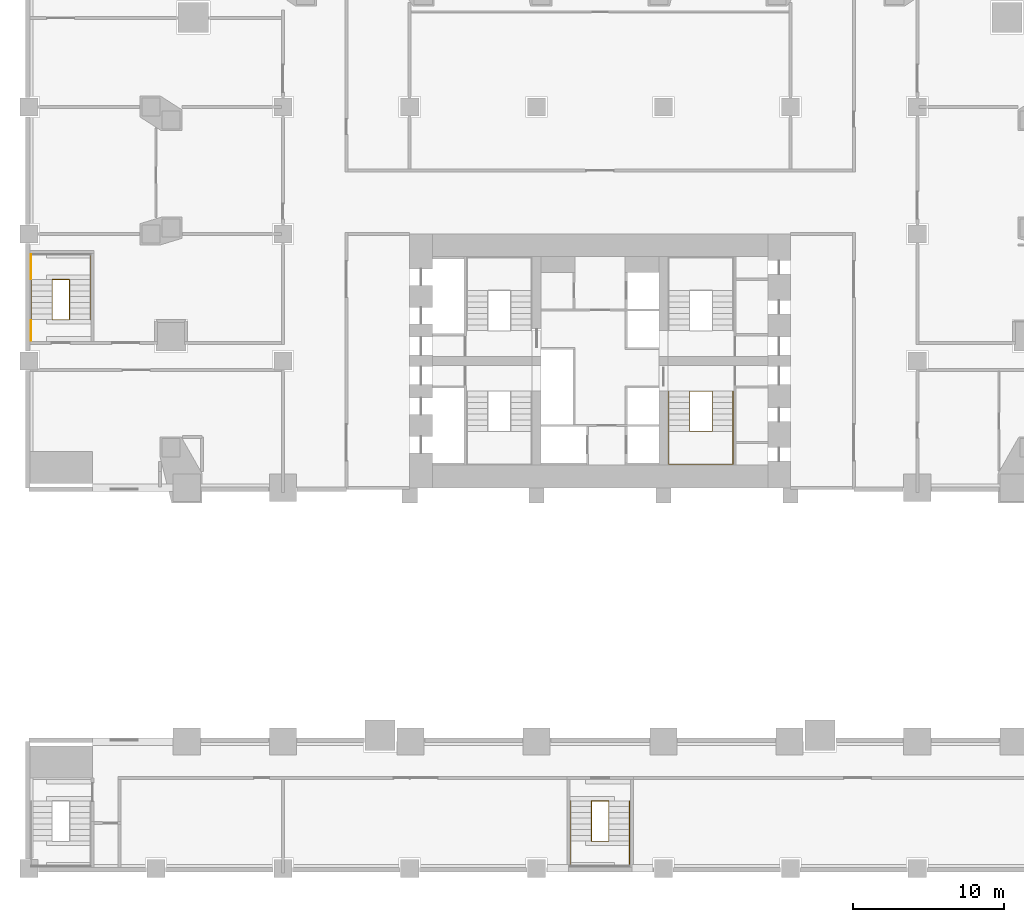
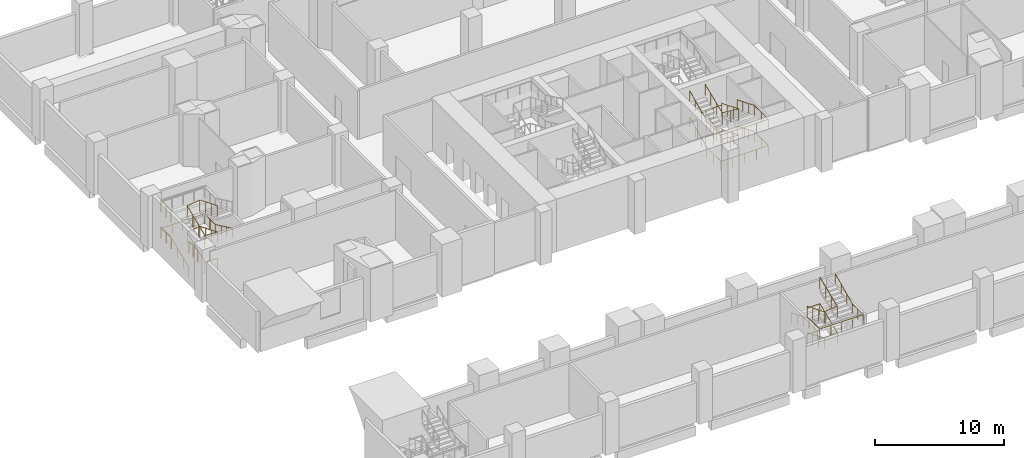
# One storey, part 12 of 16: 13 railings.
"""IFC4 building model written with IfcOpenShell, lengths in metres."""

import ifcopenshell
import ifcopenshell.guid

model = None  # the IFC model being written
_history = None  # IfcOwnerHistory: only IFC2X3 demands one
_inside = {}  # id of a spatial element -> (the spatial element, [elements in it])
_under = {}  # id of a project, library or spatial element -> (it, [spatial elements below it])
_declared = {}  # id of a project -> (the project, [libraries it declares])
_typed = {}  # id of a type object -> (the type object, [elements of that type])
_made_of = {}  # id of a material, layer set ... -> (it, [elements and type objects made of it])


def new_model(schema):
    """Start an empty IFC model of exactly this schema.

    Asked for "IFC4X3", IfcOpenShell would pick the latest addendum, in which some entities
    have other attributes; the version numbers below select the first issue.
    IFC2X3 requires an IfcOwnerHistory on every rooted entity: one is made here for all.
    """
    global model, _history
    if schema == "IFC4X3":
        model = ifcopenshell.file(schema_version=(4, 3, 0, 0))
    else:
        model = ifcopenshell.file(schema=schema)
    _inside.clear()
    _under.clear()
    _declared.clear()
    _typed.clear()
    _made_of.clear()
    _history = None
    if model.schema == "IFC2X3":
        org = make("IfcOrganization", Name="unknown")
        user = make(
            "IfcPersonAndOrganization",
            ThePerson=make("IfcPerson", FamilyName="unknown"),
            TheOrganization=org,
        )
        app = make(
            "IfcApplication",
            ApplicationDeveloper=org,
            Version="unknown",
            ApplicationFullName="unknown",
            ApplicationIdentifier="unknown",
        )
        _history = make(
            "IfcOwnerHistory",
            OwningUser=user,
            OwningApplication=app,
            ChangeAction="ADDED",
            CreationDate=0,
        )
    return model


def make(cls, **values):
    """One entity of the class cls with the attributes given. An attribute that is None is left unset."""
    return model.create_entity(
        cls, **{name: value for name, value in values.items() if value is not None}
    )


def rooted(cls, **values):
    """An entity with a GlobalId (a new one), such as an element, a storey or a relation."""
    return make(cls, GlobalId=ifcopenshell.guid.new(), OwnerHistory=_history, **values)


def si_unit(unit_type, name, prefix=None):
    """IfcSIUnit, for example si_unit("LENGTHUNIT", "METRE", prefix="MILLI")."""
    return make("IfcSIUnit", UnitType=unit_type, Prefix=prefix, Name=name)


def assignment(units):
    """IfcUnitAssignment: the units of a project."""
    return None if units is None else make("IfcUnitAssignment", Units=units)


def point(xyz):
    """IfcCartesianPoint."""
    return None if xyz is None else make("IfcCartesianPoint", Coordinates=xyz)


def direction(xyz):
    """IfcDirection."""
    return None if xyz is None else make("IfcDirection", DirectionRatios=xyz)


def frame(location, z_axis=None, x_axis=None):
    """IfcAxis2Placement3D, a coordinate frame: its origin and axes. An axis left out is left unset."""
    return make(
        "IfcAxis2Placement3D",
        Location=point(location),
        Axis=direction(z_axis),
        RefDirection=direction(x_axis),
    )


def frame_2d(location, x_axis=None):
    """IfcAxis2Placement2D, a coordinate frame in the plane: its origin and x axis."""
    return make(
        "IfcAxis2Placement2D", Location=point(location), RefDirection=direction(x_axis)
    )


def origin():
    """The frame at (0, 0, 0) with its axes left unset."""
    return frame((0.0, 0.0, 0.0))


def origin_2d():
    """The frame at (0, 0) in the plane with its x axis left unset."""
    return frame_2d((0.0, 0.0))


def place(relative_to, where):
    """IfcLocalPlacement: puts the frame where relative to a parent placement (None: the world)."""
    return make(
        "IfcLocalPlacement", PlacementRelTo=relative_to, RelativePlacement=where
    )


def context(
    kind, dimensions, precision=None, world=None, true_north=None, identifier=None
):
    """IfcGeometricRepresentationContext, for example the 3D "Model" context."""
    return make(
        "IfcGeometricRepresentationContext",
        ContextIdentifier=identifier,
        ContextType=kind,
        CoordinateSpaceDimension=dimensions,
        Precision=precision,
        WorldCoordinateSystem=world,
        TrueNorth=true_north,
    )


def subcontext(parent, identifier, kind, view, scale=None):
    """IfcGeometricRepresentationSubContext, for example "Body" below "Model"."""
    return make(
        "IfcGeometricRepresentationSubContext",
        ContextIdentifier=identifier,
        ContextType=kind,
        ParentContext=parent,
        TargetScale=scale,
        TargetView=view,
    )


def project(units=None, contexts=None):
    """IfcProject with its units and contexts."""
    return rooted(
        "IfcProject",
        Name="project",
        RepresentationContexts=contexts,
        UnitsInContext=assignment(units),
    )


def spatial(cls, under=None, at=None, **own):
    """A site, building, storey or space (cls), placed at a placement, below another one or the project."""
    s = rooted(cls, ObjectPlacement=at, **own)
    if under is not None:
        _under.setdefault(under.id(), (under, []))[1].append(s)
    return s


def profile(cls, at=None, kind="AREA", **sizes):
    """A parametric profile (cls). Its sizes go by their IFC names, for example OverallWidth=200.0."""
    return make(cls, ProfileType=kind, Position=at, **sizes)


def circle(**sizes):
    """IfcCircleProfileDef."""
    return profile("IfcCircleProfileDef", **sizes)


def extrude(swept, where, along, depth):
    """IfcExtrudedAreaSolid: the profile swept, set in the frame where, extruded along a direction by depth."""
    return make(
        "IfcExtrudedAreaSolid",
        SweptArea=swept,
        Position=where,
        ExtrudedDirection=direction(along),
        Depth=depth,
    )


def shape(context_of_items, identifier, shape_type, items):
    """IfcShapeRepresentation: the items that make up one representation, for example the "Body"."""
    return make(
        "IfcShapeRepresentation",
        ContextOfItems=context_of_items,
        RepresentationIdentifier=identifier,
        RepresentationType=shape_type,
        Items=items,
    )


def material(Name=None, Category=None):
    """IfcMaterial."""
    return make("IfcMaterial", Name=Name, Category=Category)


def made_of(thing, what):
    """Note that an element or type object is made of a material, layer set ...; save() writes the relation."""
    if what is not None:
        _made_of.setdefault(what.id(), (what, []))[1].append(thing)
    return thing


def type_object(cls, material=None, **own):
    """A type object (cls), such as IfcWallType, which elements share."""
    return made_of(rooted(cls, **own), material)


def element(
    cls,
    number,
    at=None,
    inside=None,
    cuts=None,
    type_object=None,
    material=None,
    context=None,
    identifier="Body",
    shape_type=None,
    held_by="IfcProductDefinitionShape",
    body=None,
    shapes=None,
    **own,
):
    """One element of the class cls, such as IfcWall. Its Tag is "e" and its number.

    at: its placement. inside: the storey or other place that contains it. cuts: it is an
    opening in that element (IfcRelVoidsElement). A single representation is given by context,
    identifier, shape_type and body (its items); several are given by shapes. held_by: the class
    of the entity that holds the representations. save() writes the other relations.
    """
    e = rooted(cls, Tag="e%d" % number, ObjectPlacement=at, **own)
    if body is not None:
        shapes = [shape(context, identifier, shape_type, body)]
    if shapes is not None:
        e.Representation = make(held_by, Representations=shapes)
    if inside is not None:
        _inside.setdefault(inside.id(), (inside, []))[1].append(e)
    if cuts is not None:
        rooted(
            "IfcRelVoidsElement", RelatingBuildingElement=cuts, RelatedOpeningElement=e
        )
    if type_object is not None:
        _typed.setdefault(type_object.id(), (type_object, []))[1].append(e)
    return made_of(e, material)


def aggregate(whole, parts):
    """IfcRelAggregates: a whole, such as a stair, and the parts it consists of."""
    return rooted("IfcRelAggregates", RelatingObject=whole, RelatedObjects=parts)


def save(model, path):
    """Write the relations noted so far, then the file.

    IfcRelAggregates (storeys below a building ...), IfcRelContainedInSpatialStructure (elements
    in a storey), IfcRelDefinesByType, IfcRelAssociatesMaterial and IfcRelDeclares: one each for
    every whole, place, type object, material and project.
    """
    for whole, parts in _under.values():
        aggregate(whole, parts)
    for where, things in _inside.values():
        rooted(
            "IfcRelContainedInSpatialStructure",
            RelatedElements=things,
            RelatingStructure=where,
        )
    for kind, things in _typed.values():
        rooted("IfcRelDefinesByType", RelatedObjects=things, RelatingType=kind)
    for what, things in _made_of.values():
        rooted("IfcRelAssociatesMaterial", RelatedObjects=things, RelatingMaterial=what)
    for by, libraries in _declared.values():
        rooted("IfcRelDeclares", RelatingContext=by, RelatedDefinitions=libraries)
    model.write(path)


model = new_model("IFC4")

# Units and contexts
model_context = context("Model", 3, precision=1e-05, world=origin(), true_north=direction((0.0, 1.0)))
body_context = subcontext(model_context, "Body", "Model", "MODEL_VIEW")
ifc_project = project(units=[si_unit("LENGTHUNIT", "METRE"), si_unit("AREAUNIT", "SQUARE_METRE"), si_unit("VOLUMEUNIT", "CUBIC_METRE"), si_unit("PLANEANGLEUNIT", "RADIAN"), si_unit("MASSUNIT", "GRAM", prefix="KILO")], contexts=[model_context])

# Site, building, storey
site_placement = place(None, origin())
site = spatial("IfcSite", under=ifc_project, at=site_placement, CompositionType="ELEMENT")
building_placement = place(site_placement, origin())
building = spatial("IfcBuilding", under=site, at=building_placement, Name="Marenta Gate Hotel Tower", CompositionType="ELEMENT")
storey_placement = place(building_placement, frame((0.0, 0.0, 21.0)))
storey = spatial("IfcBuildingStorey", under=building, at=storey_placement, Name="L03", CompositionType="ELEMENT", Elevation=21.0)

# Railings
ifc_material_1 = material(Name="Stainless steel", Category="steel")
railing_type_1 = type_object("IfcRailingType", Name="Core stair handrail 950", PredefinedType="HANDRAIL", material=ifc_material_1)
railing_1_placement = place(storey_placement, frame((8.800048828125, 6.39990234375, 0.15625)))
element("IfcRailing", 1, at=railing_1_placement, inside=storey, type_object=railing_type_1, Name="HR-950 L03-KR-ST3-1", PredefinedType="HANDRAIL", context=body_context, shape_type="SweptSolid", body=[
    extrude(circle(Radius=0.02392578125, at=origin_2d()), frame((0.0, 0.0, 0.92578125), z_axis=(0.0, -0.924862585091, 0.38030145766), x_axis=(1.0, 0.0, 0.0)), (0.0, 0.0, 1.0), 2.8759765625),
    extrude(circle(Radius=0.02392578125, at=origin_2d()), frame((0.0, -2.659912109375, 2.01953125), z_axis=(0.0, -1.0, 0.0), x_axis=(1.0, 0.0, 0.0)), (0.0, 0.0, 1.0), 2.18994140625),
    extrude(circle(Radius=0.02392578125, at=origin_2d()), frame((0.0, -4.849853515625, 2.01953125), z_axis=(-1.0, 0.0, 0.0), x_axis=(0.0, -1.0, 0.0)), (0.0, 0.0, 1.0), 4.25),
    extrude(circle(Radius=0.02392578125, at=origin_2d()), frame((-4.25, -4.849853515625, 2.01953125), z_axis=(0.0, 1.0, 0.0), x_axis=(-1.0, 0.0, 0.0)), (0.0, 0.0, 1.0), 2.18994140625),
    extrude(circle(Radius=0.02392578125, at=origin_2d()), frame((-4.25, -2.659912109375, 2.01953125), z_axis=(0.0, 0.905044486808, 0.425316913488), x_axis=(-1.0, 0.0, 0.0)), (0.0, 0.0, 1.0), 2.93896484375),
    extrude(circle(Radius=0.02099609375, at=origin_2d()), origin(), (0.0, 0.0, 1.0), 0.90185546875),
    extrude(circle(Radius=0.02099609375, at=origin_2d()), frame((0.0, -0.88671875, 0.364501953125)), (0.0, 0.0, 1.0), 0.90185546875),
    extrude(circle(Radius=0.02099609375, at=origin_2d()), frame((0.0, -1.773193359375, 0.729248046875)), (0.0, 0.0, 1.0), 0.90185546875),
    extrude(circle(Radius=0.02099609375, at=origin_2d()), frame((0.0, -2.659912109375, 1.09375)), (0.0, 0.0, 1.0), 0.90185546875),
    extrude(circle(Radius=0.02099609375, at=origin_2d()), frame((0.0, -3.7548828125, 1.09375)), (0.0, 0.0, 1.0), 0.90185546875),
    extrude(circle(Radius=0.02099609375, at=origin_2d()), frame((0.0, -4.849853515625, 1.09375)), (0.0, 0.0, 1.0), 0.90185546875),
    extrude(circle(Radius=0.02099609375, at=origin_2d()), frame((-1.0625, -4.849853515625, 1.09375)), (0.0, 0.0, 1.0), 0.90185546875),
    extrude(circle(Radius=0.02099609375, at=origin_2d()), frame((-2.125, -4.849853515625, 1.09375)), (0.0, 0.0, 1.0), 0.90185546875),
    extrude(circle(Radius=0.02099609375, at=origin_2d()), frame((-3.1875, -4.849853515625, 1.09375)), (0.0, 0.0, 1.0), 0.90185546875),
    extrude(circle(Radius=0.02099609375, at=origin_2d()), frame((-4.25, -4.849853515625, 1.09375)), (0.0, 0.0, 1.0), 0.90185546875),
    extrude(circle(Radius=0.02099609375, at=origin_2d()), frame((-4.25, -3.7548828125, 1.09375)), (0.0, 0.0, 1.0), 0.90185546875),
    extrude(circle(Radius=0.02099609375, at=origin_2d()), frame((-4.25, -2.659912109375, 1.09375)), (0.0, 0.0, 1.0), 0.90185546875),
    extrude(circle(Radius=0.02099609375, at=origin_2d()), frame((-4.25, -1.773193359375, 1.510498046875)), (0.0, 0.0, 1.0), 0.90185546875),
    extrude(circle(Radius=0.02099609375, at=origin_2d()), frame((-4.25, -0.88671875, 1.927001953125)), (0.0, 0.0, 1.0), 0.90185546875),
    extrude(circle(Radius=0.02099609375, at=origin_2d()), frame((-4.25, 0.0, 2.34375)), (0.0, 0.0, 1.0), 0.90185546875),
])
railing_2_placement = place(storey_placement, frame((8.800048828125, 6.39990234375, 2.65625)))
element("IfcRailing", 2, at=railing_2_placement, inside=storey, type_object=railing_type_1, Name="HR-950 L03-KR-ST3-3", PredefinedType="HANDRAIL", context=body_context, shape_type="SweptSolid", body=[
    extrude(circle(Radius=0.02392578125, at=origin_2d()), frame((0.0, 0.0, 0.92578125), z_axis=(0.0, -0.924862585091, 0.38030145766), x_axis=(1.0, 0.0, 0.0)), (0.0, 0.0, 1.0), 2.8759765625),
    extrude(circle(Radius=0.02392578125, at=origin_2d()), frame((0.0, -2.659912109375, 2.01953125), z_axis=(0.0, -1.0, 0.0), x_axis=(1.0, 0.0, 0.0)), (0.0, 0.0, 1.0), 2.18994140625),
    extrude(circle(Radius=0.02392578125, at=origin_2d()), frame((0.0, -4.849853515625, 2.01953125), z_axis=(-1.0, 0.0, 0.0), x_axis=(0.0, -1.0, 0.0)), (0.0, 0.0, 1.0), 4.25),
    extrude(circle(Radius=0.02392578125, at=origin_2d()), frame((-4.25, -4.849853515625, 2.01953125), z_axis=(0.0, 1.0, 0.0), x_axis=(-1.0, 0.0, 0.0)), (0.0, 0.0, 1.0), 2.18994140625),
    extrude(circle(Radius=0.02392578125, at=origin_2d()), frame((-4.25, -2.659912109375, 2.01953125), z_axis=(0.0, 0.905044486808, 0.425316913488), x_axis=(-1.0, 0.0, 0.0)), (0.0, 0.0, 1.0), 2.93896484375),
    extrude(circle(Radius=0.02099609375, at=origin_2d()), origin(), (0.0, 0.0, 1.0), 0.90185546875),
    extrude(circle(Radius=0.02099609375, at=origin_2d()), frame((0.0, -0.88671875, 0.364501953125)), (0.0, 0.0, 1.0), 0.90185546875),
    extrude(circle(Radius=0.02099609375, at=origin_2d()), frame((0.0, -1.773193359375, 0.729248046875)), (0.0, 0.0, 1.0), 0.90185546875),
    extrude(circle(Radius=0.02099609375, at=origin_2d()), frame((0.0, -2.659912109375, 1.09375)), (0.0, 0.0, 1.0), 0.90185546875),
    extrude(circle(Radius=0.02099609375, at=origin_2d()), frame((0.0, -3.7548828125, 1.09375)), (0.0, 0.0, 1.0), 0.90185546875),
    extrude(circle(Radius=0.02099609375, at=origin_2d()), frame((0.0, -4.849853515625, 1.09375)), (0.0, 0.0, 1.0), 0.90185546875),
    extrude(circle(Radius=0.02099609375, at=origin_2d()), frame((-1.0625, -4.849853515625, 1.09375)), (0.0, 0.0, 1.0), 0.90185546875),
    extrude(circle(Radius=0.02099609375, at=origin_2d()), frame((-2.125, -4.849853515625, 1.09375)), (0.0, 0.0, 1.0), 0.90185546875),
    extrude(circle(Radius=0.02099609375, at=origin_2d()), frame((-3.1875, -4.849853515625, 1.09375)), (0.0, 0.0, 1.0), 0.90185546875),
    extrude(circle(Radius=0.02099609375, at=origin_2d()), frame((-4.25, -4.849853515625, 1.09375)), (0.0, 0.0, 1.0), 0.90185546875),
    extrude(circle(Radius=0.02099609375, at=origin_2d()), frame((-4.25, -3.7548828125, 1.09375)), (0.0, 0.0, 1.0), 0.90185546875),
    extrude(circle(Radius=0.02099609375, at=origin_2d()), frame((-4.25, -2.659912109375, 1.09375)), (0.0, 0.0, 1.0), 0.90185546875),
    extrude(circle(Radius=0.02099609375, at=origin_2d()), frame((-4.25, -1.773193359375, 1.510498046875)), (0.0, 0.0, 1.0), 0.90185546875),
    extrude(circle(Radius=0.02099609375, at=origin_2d()), frame((-4.25, -0.88671875, 1.927001953125)), (0.0, 0.0, 1.0), 0.90185546875),
    extrude(circle(Radius=0.02099609375, at=origin_2d()), frame((-4.25, 0.0, 2.34375)), (0.0, 0.0, 1.0), 0.90185546875),
])
railing_3_placement = place(storey_placement, frame((-1.949951171875, -20.72998046875, 2.65625)))
element("IfcRailing", 3, at=railing_3_placement, inside=storey, type_object=railing_type_1, Name="HR-950 L03-KR-PX5-5", PredefinedType="HANDRAIL", context=body_context, shape_type="SweptSolid", body=[
    extrude(circle(Radius=0.02392578125, at=origin_2d()), frame((0.0, 0.0, 0.92578125), z_axis=(0.0, -0.924862585091, 0.38030145766), x_axis=(1.0, 0.0, 0.0)), (0.0, 0.0, 1.0), 2.8759765625),
    extrude(circle(Radius=0.02392578125, at=origin_2d()), frame((0.0, -2.659912109375, 2.01953125), z_axis=(0.0, -1.0, 0.0), x_axis=(1.0, 0.0, 0.0)), (0.0, 0.0, 1.0), 1.66015625),
    extrude(circle(Radius=0.02392578125, at=origin_2d()), frame((0.0, -4.320068359375, 2.01953125), z_axis=(1.0, 0.0, 0.0), x_axis=(0.0, 1.0, 0.0)), (0.0, 0.0, 1.0), 3.89990234375),
    extrude(circle(Radius=0.02392578125, at=origin_2d()), frame((3.89990234375, -4.320068359375, 2.01953125), z_axis=(0.0, 1.0, 0.0), x_axis=(-1.0, 0.0, 0.0)), (0.0, 0.0, 1.0), 1.66015625),
    extrude(circle(Radius=0.02392578125, at=origin_2d()), frame((3.89990234375, -2.659912109375, 2.01953125), z_axis=(0.0, 0.905044486808, 0.425316913488), x_axis=(-1.0, 0.0, 0.0)), (0.0, 0.0, 1.0), 2.93896484375),
    extrude(circle(Radius=0.02099609375, at=origin_2d()), origin(), (0.0, 0.0, 1.0), 0.90185546875),
    extrude(circle(Radius=0.02099609375, at=origin_2d()), frame((0.0, -0.88671875, 0.364501953125)), (0.0, 0.0, 1.0), 0.90185546875),
    extrude(circle(Radius=0.02099609375, at=origin_2d()), frame((0.0, -1.773193359375, 0.729248046875)), (0.0, 0.0, 1.0), 0.90185546875),
    extrude(circle(Radius=0.02099609375, at=origin_2d()), frame((0.0, -2.659912109375, 1.09375)), (0.0, 0.0, 1.0), 0.90185546875),
    extrude(circle(Radius=0.02099609375, at=origin_2d()), frame((0.0, -3.489990234375, 1.09375)), (0.0, 0.0, 1.0), 0.90185546875),
    extrude(circle(Radius=0.02099609375, at=origin_2d()), frame((0.0, -4.320068359375, 1.09375)), (0.0, 0.0, 1.0), 0.90185546875),
    extrude(circle(Radius=0.02099609375, at=origin_2d()), frame((0.97509765625, -4.320068359375, 1.09375)), (0.0, 0.0, 1.0), 0.90185546875),
    extrude(circle(Radius=0.02099609375, at=origin_2d()), frame((1.949951171875, -4.320068359375, 1.09375)), (0.0, 0.0, 1.0), 0.90185546875),
    extrude(circle(Radius=0.02099609375, at=origin_2d()), frame((2.9248046875, -4.320068359375, 1.09375)), (0.0, 0.0, 1.0), 0.90185546875),
    extrude(circle(Radius=0.02099609375, at=origin_2d()), frame((3.89990234375, -4.320068359375, 1.09375)), (0.0, 0.0, 1.0), 0.90185546875),
    extrude(circle(Radius=0.02099609375, at=origin_2d()), frame((3.89990234375, -3.489990234375, 1.09375)), (0.0, 0.0, 1.0), 0.90185546875),
    extrude(circle(Radius=0.02099609375, at=origin_2d()), frame((3.89990234375, -2.659912109375, 1.09375)), (0.0, 0.0, 1.0), 0.90185546875),
    extrude(circle(Radius=0.02099609375, at=origin_2d()), frame((3.89990234375, -1.773193359375, 1.510498046875)), (0.0, 0.0, 1.0), 0.90185546875),
    extrude(circle(Radius=0.02099609375, at=origin_2d()), frame((3.89990234375, -0.88671875, 1.927001953125)), (0.0, 0.0, 1.0), 0.90185546875),
    extrude(circle(Radius=0.02099609375, at=origin_2d()), frame((3.89990234375, 0.0, 2.34375)), (0.0, 0.0, 1.0), 0.90185546875),
])
railing_4_placement = place(storey_placement, frame((-37.64990234375, 11.1298828125, 0.15625)))
element("IfcRailing", 4, at=railing_4_placement, inside=storey, type_object=railing_type_1, Name="HR-950 L03-KR-PX6-2", PredefinedType="HANDRAIL", context=body_context, shape_type="SweptSolid", body=[
    extrude(circle(Radius=0.02392578125, at=origin_2d()), frame((0.0, 0.0, 0.92578125), z_axis=(0.0, 0.924874861033, 0.380271602187), x_axis=(-1.0, 0.0, 0.0)), (0.0, 0.0, 1.0), 2.876220703125),
    extrude(circle(Radius=0.02392578125, at=origin_2d()), frame((0.0, 2.66015625, 2.01953125), z_axis=(0.0, 1.0, 0.0), x_axis=(-1.0, 0.0, 0.0)), (0.0, 0.0, 1.0), 1.659912109375),
    extrude(circle(Radius=0.02392578125, at=origin_2d()), frame((0.0, 4.320068359375, 2.01953125), z_axis=(1.0, 0.0, 0.0), x_axis=(0.0, 1.0, 0.0)), (0.0, 0.0, 1.0), 3.89990234375),
    extrude(circle(Radius=0.02392578125, at=origin_2d()), frame((3.89990234375, 4.320068359375, 2.01953125), z_axis=(0.0, -1.0, 0.0), x_axis=(1.0, 0.0, 0.0)), (0.0, 0.0, 1.0), 1.659912109375),
    extrude(circle(Radius=0.02392578125, at=origin_2d()), frame((3.89990234375, 2.66015625, 2.01953125), z_axis=(0.0, -0.905059511965, 0.425284939543), x_axis=(1.0, 0.0, 0.0)), (0.0, 0.0, 1.0), 2.939208984375),
    extrude(circle(Radius=0.02099609375, at=origin_2d()), origin(), (0.0, 0.0, 1.0), 0.90185546875),
    extrude(circle(Radius=0.02099609375, at=origin_2d()), frame((0.0, 0.88671875, 0.364501953125)), (0.0, 0.0, 1.0), 0.90185546875),
    extrude(circle(Radius=0.02099609375, at=origin_2d()), frame((0.0, 1.7734375, 0.729248046875)), (0.0, 0.0, 1.0), 0.90185546875),
    extrude(circle(Radius=0.02099609375, at=origin_2d()), frame((0.0, 2.66015625, 1.09375)), (0.0, 0.0, 1.0), 0.90185546875),
    extrude(circle(Radius=0.02099609375, at=origin_2d()), frame((0.0, 3.490234375, 1.09375)), (0.0, 0.0, 1.0), 0.90185546875),
    extrude(circle(Radius=0.02099609375, at=origin_2d()), frame((0.0, 4.320068359375, 1.09375)), (0.0, 0.0, 1.0), 0.90185546875),
    extrude(circle(Radius=0.02099609375, at=origin_2d()), frame((0.97509765625, 4.320068359375, 1.09375)), (0.0, 0.0, 1.0), 0.90185546875),
    extrude(circle(Radius=0.02099609375, at=origin_2d()), frame((1.949951171875, 4.320068359375, 1.09375)), (0.0, 0.0, 1.0), 0.90185546875),
    extrude(circle(Radius=0.02099609375, at=origin_2d()), frame((2.9248046875, 4.320068359375, 1.09375)), (0.0, 0.0, 1.0), 0.90185546875),
    extrude(circle(Radius=0.02099609375, at=origin_2d()), frame((3.89990234375, 4.320068359375, 1.09375)), (0.0, 0.0, 1.0), 0.90185546875),
    extrude(circle(Radius=0.02099609375, at=origin_2d()), frame((3.89990234375, 3.490234375, 1.09375)), (0.0, 0.0, 1.0), 0.90185546875),
    extrude(circle(Radius=0.02099609375, at=origin_2d()), frame((3.89990234375, 2.66015625, 1.09375)), (0.0, 0.0, 1.0), 0.90185546875),
    extrude(circle(Radius=0.02099609375, at=origin_2d()), frame((3.89990234375, 1.7734375, 1.510498046875)), (0.0, 0.0, 1.0), 0.90185546875),
    extrude(circle(Radius=0.02099609375, at=origin_2d()), frame((3.89990234375, 0.88671875, 1.927001953125)), (0.0, 0.0, 1.0), 0.90185546875),
    extrude(circle(Radius=0.02099609375, at=origin_2d()), frame((3.89990234375, 0.0, 2.34375)), (0.0, 0.0, 1.0), 0.90185546875),
])
ifc_material_2 = material(Name="Stainless steel", Category="steel")
railing_type_2 = type_object("IfcRailingType", Name="Core stair well guard 1100", PredefinedType="GUARDRAIL", material=ifc_material_2)
railing_5_placement = place(storey_placement, frame((5.929931640625, 6.39990234375, 0.0)))
element("IfcRailing", 5, at=railing_5_placement, inside=storey, type_object=railing_type_2, Name="GR-1100 L03-KR-ST3-2", PredefinedType="GUARDRAIL", context=body_context, shape_type="SweptSolid", body=[
    extrude(circle(Radius=0.02392578125, at=origin_2d()), frame((0.0, 0.0, 1.076171875), z_axis=(1.0, 0.0, 0.0), x_axis=(0.0, 1.0, 0.0)), (0.0, 0.0, 1.0), 1.489990234375),
    extrude(circle(Radius=0.02392578125, at=origin_2d()), frame((1.489990234375, 0.0, 1.076171875), z_axis=(0.0, 0.0, 1.0), x_axis=(1.0, 0.0, 0.0)), (0.0, 0.0, 1.0), 0.15625),
    extrude(circle(Radius=0.02392578125, at=origin_2d()), frame((1.489990234375, 0.0, 1.232421875), z_axis=(0.0, -0.924862585091, 0.38030145766), x_axis=(1.0, 0.0, 0.0)), (0.0, 0.0, 1.0), 2.8759765625),
    extrude(circle(Radius=0.02392578125, at=origin_2d()), frame((1.489990234375, -2.659912109375, 2.326171875), z_axis=(-0.994546451282, 0.0, 0.104294564775), x_axis=(0.0, -1.0, 0.0)), (0.0, 0.0, 1.0), 1.498046875),
    extrude(circle(Radius=0.02392578125, at=origin_2d()), frame((0.0, -2.659912109375, 2.482421875), z_axis=(0.0, 0.924862585091, 0.38030145766), x_axis=(-1.0, 0.0, 0.0)), (0.0, 0.0, 1.0), 2.8759765625),
    extrude(circle(Radius=0.02099609375, at=origin_2d()), origin(), (0.0, 0.0, 1.0), 1.052001953125),
    extrude(circle(Radius=0.02099609375, at=origin_2d()), frame((0.7451171875, 0.0, 0.0)), (0.0, 0.0, 1.0), 1.052001953125),
    extrude(circle(Radius=0.02099609375, at=origin_2d()), frame((1.489990234375, 0.0, 0.0)), (0.0, 0.0, 1.0), 1.052001953125),
    extrude(circle(Radius=0.02099609375, at=origin_2d()), frame((1.489990234375, 0.0, 0.15625)), (0.0, 0.0, 1.0), 1.052001953125),
    extrude(circle(Radius=0.02099609375, at=origin_2d()), frame((1.489990234375, -0.88671875, 0.520751953125)), (0.0, 0.0, 1.0), 1.052001953125),
    extrude(circle(Radius=0.02099609375, at=origin_2d()), frame((1.489990234375, -1.773193359375, 0.885498046875)), (0.0, 0.0, 1.0), 1.052001953125),
    extrude(circle(Radius=0.02099609375, at=origin_2d()), frame((1.489990234375, -2.659912109375, 1.25)), (0.0, 0.0, 1.0), 1.052001953125),
    extrude(circle(Radius=0.02099609375, at=origin_2d()), frame((0.7451171875, -2.659912109375, 1.328125)), (0.0, 0.0, 1.0), 1.052001953125),
    extrude(circle(Radius=0.02099609375, at=origin_2d()), frame((0.0, -2.659912109375, 1.40625)), (0.0, 0.0, 1.0), 1.052001953125),
    extrude(circle(Radius=0.02099609375, at=origin_2d()), frame((0.0, -1.773193359375, 1.770751953125)), (0.0, 0.0, 1.0), 1.052001953125),
    extrude(circle(Radius=0.02099609375, at=origin_2d()), frame((0.0, -0.88671875, 2.135498046875)), (0.0, 0.0, 1.0), 1.052001953125),
    extrude(circle(Radius=0.02099609375, at=origin_2d()), frame((0.0, 0.0, 2.5)), (0.0, 0.0, 1.0), 1.052001953125),
])
railing_6_placement = place(storey_placement, frame((5.929931640625, 6.39990234375, 2.5)))
element("IfcRailing", 6, at=railing_6_placement, inside=storey, type_object=railing_type_2, Name="GR-1100 L03-KR-ST3-4", PredefinedType="GUARDRAIL", context=body_context, shape_type="SweptSolid", body=[
    extrude(circle(Radius=0.02392578125, at=origin_2d()), frame((0.0, 0.0, 1.076171875), z_axis=(1.0, 0.0, 0.0), x_axis=(0.0, 1.0, 0.0)), (0.0, 0.0, 1.0), 1.489990234375),
    extrude(circle(Radius=0.02392578125, at=origin_2d()), frame((1.489990234375, 0.0, 1.076171875), z_axis=(0.0, 0.0, 1.0), x_axis=(1.0, 0.0, 0.0)), (0.0, 0.0, 1.0), 0.15625),
    extrude(circle(Radius=0.02392578125, at=origin_2d()), frame((1.489990234375, 0.0, 1.232421875), z_axis=(0.0, -0.924862585091, 0.38030145766), x_axis=(1.0, 0.0, 0.0)), (0.0, 0.0, 1.0), 2.8759765625),
    extrude(circle(Radius=0.02392578125, at=origin_2d()), frame((1.489990234375, -2.659912109375, 2.326171875), z_axis=(-0.994546451282, 0.0, 0.104294564775), x_axis=(0.0, -1.0, 0.0)), (0.0, 0.0, 1.0), 1.498046875),
    extrude(circle(Radius=0.02392578125, at=origin_2d()), frame((0.0, -2.659912109375, 2.482421875), z_axis=(0.0, 0.924862585091, 0.38030145766), x_axis=(-1.0, 0.0, 0.0)), (0.0, 0.0, 1.0), 2.8759765625),
    extrude(circle(Radius=0.02099609375, at=origin_2d()), origin(), (0.0, 0.0, 1.0), 1.052001953125),
    extrude(circle(Radius=0.02099609375, at=origin_2d()), frame((0.7451171875, 0.0, 0.0)), (0.0, 0.0, 1.0), 1.052001953125),
    extrude(circle(Radius=0.02099609375, at=origin_2d()), frame((1.489990234375, 0.0, 0.0)), (0.0, 0.0, 1.0), 1.052001953125),
    extrude(circle(Radius=0.02099609375, at=origin_2d()), frame((1.489990234375, 0.0, 0.15625)), (0.0, 0.0, 1.0), 1.052001953125),
    extrude(circle(Radius=0.02099609375, at=origin_2d()), frame((1.489990234375, -0.88671875, 0.520751953125)), (0.0, 0.0, 1.0), 1.052001953125),
    extrude(circle(Radius=0.02099609375, at=origin_2d()), frame((1.489990234375, -1.773193359375, 0.885498046875)), (0.0, 0.0, 1.0), 1.052001953125),
    extrude(circle(Radius=0.02099609375, at=origin_2d()), frame((1.489990234375, -2.659912109375, 1.25)), (0.0, 0.0, 1.0), 1.052001953125),
    extrude(circle(Radius=0.02099609375, at=origin_2d()), frame((0.7451171875, -2.659912109375, 1.328125)), (0.0, 0.0, 1.0), 1.052001953125),
    extrude(circle(Radius=0.02099609375, at=origin_2d()), frame((0.0, -2.659912109375, 1.40625)), (0.0, 0.0, 1.0), 1.052001953125),
    extrude(circle(Radius=0.02099609375, at=origin_2d()), frame((0.0, -1.773193359375, 1.770751953125)), (0.0, 0.0, 1.0), 1.052001953125),
    extrude(circle(Radius=0.02099609375, at=origin_2d()), frame((0.0, -0.88671875, 2.135498046875)), (0.0, 0.0, 1.0), 1.052001953125),
    extrude(circle(Radius=0.02099609375, at=origin_2d()), frame((0.0, 0.0, 2.5)), (0.0, 0.0, 1.0), 1.052001953125),
])
railing_7_placement = place(storey_placement, frame((0.570068359375, -20.72998046875, 0.0)))
element("IfcRailing", 7, at=railing_7_placement, inside=storey, type_object=railing_type_2, Name="GR-1100 L03-KR-PX5-3", PredefinedType="GUARDRAIL", context=body_context, shape_type="SweptSolid", body=[
    extrude(circle(Radius=0.02392578125, at=origin_2d()), frame((0.0, 0.0, 1.076171875), z_axis=(-1.0, 0.0, 0.0), x_axis=(0.0, -1.0, 0.0)), (0.0, 0.0, 1.0), 1.14013671875),
    extrude(circle(Radius=0.02392578125, at=origin_2d()), frame((-1.14013671875, 0.0, 1.076171875), z_axis=(0.0, 0.0, 1.0), x_axis=(1.0, 0.0, 0.0)), (0.0, 0.0, 1.0), 0.15625),
    extrude(circle(Radius=0.02392578125, at=origin_2d()), frame((-1.14013671875, 0.0, 1.232421875), z_axis=(0.0, -0.924862585091, 0.38030145766), x_axis=(1.0, 0.0, 0.0)), (0.0, 0.0, 1.0), 2.8759765625),
    extrude(circle(Radius=0.02392578125, at=origin_2d()), frame((-1.14013671875, -2.659912109375, 2.326171875), z_axis=(0.990739578357, 0.0, 0.135775873693), x_axis=(0.0, 1.0, 0.0)), (0.0, 0.0, 1.0), 1.15087890625),
    extrude(circle(Radius=0.02392578125, at=origin_2d()), frame((0.0, -2.659912109375, 2.482421875), z_axis=(0.0, 0.924862585091, 0.38030145766), x_axis=(-1.0, 0.0, 0.0)), (0.0, 0.0, 1.0), 2.8759765625),
    extrude(circle(Radius=0.02099609375, at=origin_2d()), origin(), (0.0, 0.0, 1.0), 1.052001953125),
    extrude(circle(Radius=0.02099609375, at=origin_2d()), frame((-1.14013671875, 0.0, 0.0)), (0.0, 0.0, 1.0), 1.052001953125),
    extrude(circle(Radius=0.02099609375, at=origin_2d()), frame((-1.14013671875, 0.0, 0.15625)), (0.0, 0.0, 1.0), 1.052001953125),
    extrude(circle(Radius=0.02099609375, at=origin_2d()), frame((-1.14013671875, -0.88671875, 0.520751953125)), (0.0, 0.0, 1.0), 1.052001953125),
    extrude(circle(Radius=0.02099609375, at=origin_2d()), frame((-1.14013671875, -1.773193359375, 0.885498046875)), (0.0, 0.0, 1.0), 1.052001953125),
    extrude(circle(Radius=0.02099609375, at=origin_2d()), frame((-1.14013671875, -2.659912109375, 1.25)), (0.0, 0.0, 1.0), 1.052001953125),
    extrude(circle(Radius=0.02099609375, at=origin_2d()), frame((0.0, -2.659912109375, 1.40625)), (0.0, 0.0, 1.0), 1.052001953125),
    extrude(circle(Radius=0.02099609375, at=origin_2d()), frame((0.0, -1.773193359375, 1.770751953125)), (0.0, 0.0, 1.0), 1.052001953125),
    extrude(circle(Radius=0.02099609375, at=origin_2d()), frame((0.0, -0.88671875, 2.135498046875)), (0.0, 0.0, 1.0), 1.052001953125),
    extrude(circle(Radius=0.02099609375, at=origin_2d()), frame((0.0, 0.0, 2.5)), (0.0, 0.0, 1.0), 1.052001953125),
])
railing_8_placement = place(storey_placement, frame((0.570068359375, -20.72998046875, 2.5)))
element("IfcRailing", 8, at=railing_8_placement, inside=storey, type_object=railing_type_2, Name="GR-1100 L03-KR-PX5-6", PredefinedType="GUARDRAIL", context=body_context, shape_type="SweptSolid", body=[
    extrude(circle(Radius=0.02392578125, at=origin_2d()), frame((0.0, 0.0, 1.076171875), z_axis=(-1.0, 0.0, 0.0), x_axis=(0.0, -1.0, 0.0)), (0.0, 0.0, 1.0), 1.14013671875),
    extrude(circle(Radius=0.02392578125, at=origin_2d()), frame((-1.14013671875, 0.0, 1.076171875), z_axis=(0.0, 0.0, 1.0), x_axis=(1.0, 0.0, 0.0)), (0.0, 0.0, 1.0), 0.15625),
    extrude(circle(Radius=0.02392578125, at=origin_2d()), frame((-1.14013671875, 0.0, 1.232421875), z_axis=(0.0, -0.924862585091, 0.38030145766), x_axis=(1.0, 0.0, 0.0)), (0.0, 0.0, 1.0), 2.8759765625),
    extrude(circle(Radius=0.02392578125, at=origin_2d()), frame((-1.14013671875, -2.659912109375, 2.326171875), z_axis=(0.990739578357, 0.0, 0.135775873693), x_axis=(0.0, 1.0, 0.0)), (0.0, 0.0, 1.0), 1.15087890625),
    extrude(circle(Radius=0.02392578125, at=origin_2d()), frame((0.0, -2.659912109375, 2.482421875), z_axis=(0.0, 0.924862585091, 0.38030145766), x_axis=(-1.0, 0.0, 0.0)), (0.0, 0.0, 1.0), 2.8759765625),
    extrude(circle(Radius=0.02099609375, at=origin_2d()), origin(), (0.0, 0.0, 1.0), 1.052001953125),
    extrude(circle(Radius=0.02099609375, at=origin_2d()), frame((-1.14013671875, 0.0, 0.0)), (0.0, 0.0, 1.0), 1.052001953125),
    extrude(circle(Radius=0.02099609375, at=origin_2d()), frame((-1.14013671875, 0.0, 0.15625)), (0.0, 0.0, 1.0), 1.052001953125),
    extrude(circle(Radius=0.02099609375, at=origin_2d()), frame((-1.14013671875, -0.88671875, 0.520751953125)), (0.0, 0.0, 1.0), 1.052001953125),
    extrude(circle(Radius=0.02099609375, at=origin_2d()), frame((-1.14013671875, -1.773193359375, 0.885498046875)), (0.0, 0.0, 1.0), 1.052001953125),
    extrude(circle(Radius=0.02099609375, at=origin_2d()), frame((-1.14013671875, -2.659912109375, 1.25)), (0.0, 0.0, 1.0), 1.052001953125),
    extrude(circle(Radius=0.02099609375, at=origin_2d()), frame((0.0, -2.659912109375, 1.40625)), (0.0, 0.0, 1.0), 1.052001953125),
    extrude(circle(Radius=0.02099609375, at=origin_2d()), frame((0.0, -1.773193359375, 1.770751953125)), (0.0, 0.0, 1.0), 1.052001953125),
    extrude(circle(Radius=0.02099609375, at=origin_2d()), frame((0.0, -0.88671875, 2.135498046875)), (0.0, 0.0, 1.0), 1.052001953125),
    extrude(circle(Radius=0.02099609375, at=origin_2d()), frame((0.0, 0.0, 2.5)), (0.0, 0.0, 1.0), 1.052001953125),
])
railing_9_placement = place(storey_placement, frame((-35.1298828125, 11.1298828125, 0.0)))
element("IfcRailing", 9, at=railing_9_placement, inside=storey, type_object=railing_type_2, Name="GR-1100 L03-KR-PX6-3", PredefinedType="GUARDRAIL", context=body_context, shape_type="SweptSolid", body=[
    extrude(circle(Radius=0.02392578125, at=origin_2d()), frame((0.0, 0.0, 1.076171875), z_axis=(-1.0, 0.0, 0.0), x_axis=(0.0, -1.0, 0.0)), (0.0, 0.0, 1.0), 1.14013671875),
    extrude(circle(Radius=0.02392578125, at=origin_2d()), frame((-1.14013671875, 0.0, 1.076171875), z_axis=(0.0, 0.0, 1.0), x_axis=(1.0, 0.0, 0.0)), (0.0, 0.0, 1.0), 0.15625),
    extrude(circle(Radius=0.02392578125, at=origin_2d()), frame((-1.14013671875, 0.0, 1.232421875), z_axis=(0.0, 0.924874861033, 0.380271602187), x_axis=(-1.0, 0.0, 0.0)), (0.0, 0.0, 1.0), 2.876220703125),
    extrude(circle(Radius=0.02392578125, at=origin_2d()), frame((-1.14013671875, 2.66015625, 2.326171875), z_axis=(0.990739578357, 0.0, 0.135775873693), x_axis=(0.0, 1.0, 0.0)), (0.0, 0.0, 1.0), 1.15087890625),
    extrude(circle(Radius=0.02392578125, at=origin_2d()), frame((0.0, 2.66015625, 2.482421875), z_axis=(0.0, -0.924874861033, 0.380271602187), x_axis=(1.0, 0.0, 0.0)), (0.0, 0.0, 1.0), 2.876220703125),
    extrude(circle(Radius=0.02099609375, at=origin_2d()), origin(), (0.0, 0.0, 1.0), 1.052001953125),
    extrude(circle(Radius=0.02099609375, at=origin_2d()), frame((-1.14013671875, 0.0, 0.0)), (0.0, 0.0, 1.0), 1.052001953125),
    extrude(circle(Radius=0.02099609375, at=origin_2d()), frame((-1.14013671875, 0.0, 0.15625)), (0.0, 0.0, 1.0), 1.052001953125),
    extrude(circle(Radius=0.02099609375, at=origin_2d()), frame((-1.14013671875, 0.88671875, 0.520751953125)), (0.0, 0.0, 1.0), 1.052001953125),
    extrude(circle(Radius=0.02099609375, at=origin_2d()), frame((-1.14013671875, 1.7734375, 0.885498046875)), (0.0, 0.0, 1.0), 1.052001953125),
    extrude(circle(Radius=0.02099609375, at=origin_2d()), frame((-1.14013671875, 2.66015625, 1.25)), (0.0, 0.0, 1.0), 1.052001953125),
    extrude(circle(Radius=0.02099609375, at=origin_2d()), frame((0.0, 2.66015625, 1.40625)), (0.0, 0.0, 1.0), 1.052001953125),
    extrude(circle(Radius=0.02099609375, at=origin_2d()), frame((0.0, 1.7734375, 1.770751953125)), (0.0, 0.0, 1.0), 1.052001953125),
    extrude(circle(Radius=0.02099609375, at=origin_2d()), frame((0.0, 0.88671875, 2.135498046875)), (0.0, 0.0, 1.0), 1.052001953125),
    extrude(circle(Radius=0.02099609375, at=origin_2d()), frame((0.0, 0.0, 2.5)), (0.0, 0.0, 1.0), 1.052001953125),
])
railing_10_placement = place(storey_placement, frame((-35.1298828125, 11.1298828125, 2.5)))
element("IfcRailing", 10, at=railing_10_placement, inside=storey, type_object=railing_type_2, Name="GR-1100 L03-KR-PX6-6", PredefinedType="GUARDRAIL", context=body_context, shape_type="SweptSolid", body=[
    extrude(circle(Radius=0.02392578125, at=origin_2d()), frame((0.0, 0.0, 1.076171875), z_axis=(-1.0, 0.0, 0.0), x_axis=(0.0, -1.0, 0.0)), (0.0, 0.0, 1.0), 1.14013671875),
    extrude(circle(Radius=0.02392578125, at=origin_2d()), frame((-1.14013671875, 0.0, 1.076171875), z_axis=(0.0, 0.0, 1.0), x_axis=(1.0, 0.0, 0.0)), (0.0, 0.0, 1.0), 0.15625),
    extrude(circle(Radius=0.02392578125, at=origin_2d()), frame((-1.14013671875, 0.0, 1.232421875), z_axis=(0.0, 0.924874861033, 0.380271602187), x_axis=(-1.0, 0.0, 0.0)), (0.0, 0.0, 1.0), 2.876220703125),
    extrude(circle(Radius=0.02392578125, at=origin_2d()), frame((-1.14013671875, 2.66015625, 2.326171875), z_axis=(0.990739578357, 0.0, 0.135775873693), x_axis=(0.0, 1.0, 0.0)), (0.0, 0.0, 1.0), 1.15087890625),
    extrude(circle(Radius=0.02392578125, at=origin_2d()), frame((0.0, 2.66015625, 2.482421875), z_axis=(0.0, -0.924874861033, 0.380271602187), x_axis=(1.0, 0.0, 0.0)), (0.0, 0.0, 1.0), 2.876220703125),
    extrude(circle(Radius=0.02099609375, at=origin_2d()), origin(), (0.0, 0.0, 1.0), 1.052001953125),
    extrude(circle(Radius=0.02099609375, at=origin_2d()), frame((-1.14013671875, 0.0, 0.0)), (0.0, 0.0, 1.0), 1.052001953125),
    extrude(circle(Radius=0.02099609375, at=origin_2d()), frame((-1.14013671875, 0.0, 0.15625)), (0.0, 0.0, 1.0), 1.052001953125),
    extrude(circle(Radius=0.02099609375, at=origin_2d()), frame((-1.14013671875, 0.88671875, 0.520751953125)), (0.0, 0.0, 1.0), 1.052001953125),
    extrude(circle(Radius=0.02099609375, at=origin_2d()), frame((-1.14013671875, 1.7734375, 0.885498046875)), (0.0, 0.0, 1.0), 1.052001953125),
    extrude(circle(Radius=0.02099609375, at=origin_2d()), frame((-1.14013671875, 2.66015625, 1.25)), (0.0, 0.0, 1.0), 1.052001953125),
    extrude(circle(Radius=0.02099609375, at=origin_2d()), frame((0.0, 2.66015625, 1.40625)), (0.0, 0.0, 1.0), 1.052001953125),
    extrude(circle(Radius=0.02099609375, at=origin_2d()), frame((0.0, 1.7734375, 1.770751953125)), (0.0, 0.0, 1.0), 1.052001953125),
    extrude(circle(Radius=0.02099609375, at=origin_2d()), frame((0.0, 0.88671875, 2.135498046875)), (0.0, 0.0, 1.0), 1.052001953125),
    extrude(circle(Radius=0.02099609375, at=origin_2d()), frame((0.0, 0.0, 2.5)), (0.0, 0.0, 1.0), 1.052001953125),
])
railing_11_placement = place(storey_placement, frame((-37.679931640625, 13.840087890625, 1.25)))
element("IfcRailing", 11, at=railing_11_placement, inside=storey, type_object=railing_type_2, Name="GR-1100 L03-KR-PX6-7", PredefinedType="GUARDRAIL", context=body_context, shape_type="SweptSolid", body=[
    extrude(circle(Radius=0.02392578125, at=origin_2d()), frame((0.0, 0.0, 1.076171875), z_axis=(0.0, 1.0, 0.0), x_axis=(-1.0, 0.0, 0.0)), (0.0, 0.0, 1.0), 1.60986328125),
    extrude(circle(Radius=0.02099609375, at=origin_2d()), origin(), (0.0, 0.0, 1.0), 1.052001953125),
    extrude(circle(Radius=0.02099609375, at=origin_2d()), frame((0.0, 0.804931640625, 0.0)), (0.0, 0.0, 1.0), 1.052001953125),
    extrude(circle(Radius=0.02099609375, at=origin_2d()), frame((0.0, 1.60986328125, 0.0)), (0.0, 0.0, 1.0), 1.052001953125),
])
railing_12_placement = place(storey_placement, frame((-37.679931640625, 9.75, 2.5)))
element("IfcRailing", 12, at=railing_12_placement, inside=storey, type_object=railing_type_2, Name="GR-1100 L03-KR-PX6-8", PredefinedType="GUARDRAIL", context=body_context, shape_type="SweptSolid", body=[
    extrude(circle(Radius=0.02392578125, at=origin_2d()), frame((0.0, 0.0, 1.076171875), z_axis=(0.0, 1.0, 0.0), x_axis=(-1.0, 0.0, 0.0)), (0.0, 0.0, 1.0), 1.330078125),
    extrude(circle(Radius=0.02099609375, at=origin_2d()), origin(), (0.0, 0.0, 1.0), 1.052001953125),
    extrude(circle(Radius=0.02099609375, at=origin_2d()), frame((0.0, 0.6650390625, 0.0)), (0.0, 0.0, 1.0), 1.052001953125),
    extrude(circle(Radius=0.02099609375, at=origin_2d()), frame((0.0, 1.330078125, 0.0)), (0.0, 0.0, 1.0), 1.052001953125),
])
railing_13_placement = place(storey_placement, frame((-37.679931640625, 13.840087890625, 3.75)))
element("IfcRailing", 13, at=railing_13_placement, inside=storey, type_object=railing_type_2, Name="GR-1100 L03-KR-PX6-9", PredefinedType="GUARDRAIL", context=body_context, shape_type="SweptSolid", body=[
    extrude(circle(Radius=0.02392578125, at=origin_2d()), frame((0.0, 0.0, 1.076171875), z_axis=(0.0, 1.0, 0.0), x_axis=(-1.0, 0.0, 0.0)), (0.0, 0.0, 1.0), 1.60986328125),
    extrude(circle(Radius=0.02099609375, at=origin_2d()), origin(), (0.0, 0.0, 1.0), 1.052001953125),
    extrude(circle(Radius=0.02099609375, at=origin_2d()), frame((0.0, 0.804931640625, 0.0)), (0.0, 0.0, 1.0), 1.052001953125),
    extrude(circle(Radius=0.02099609375, at=origin_2d()), frame((0.0, 1.60986328125, 0.0)), (0.0, 0.0, 1.0), 1.052001953125),
])

save(model, "model.ifc")
